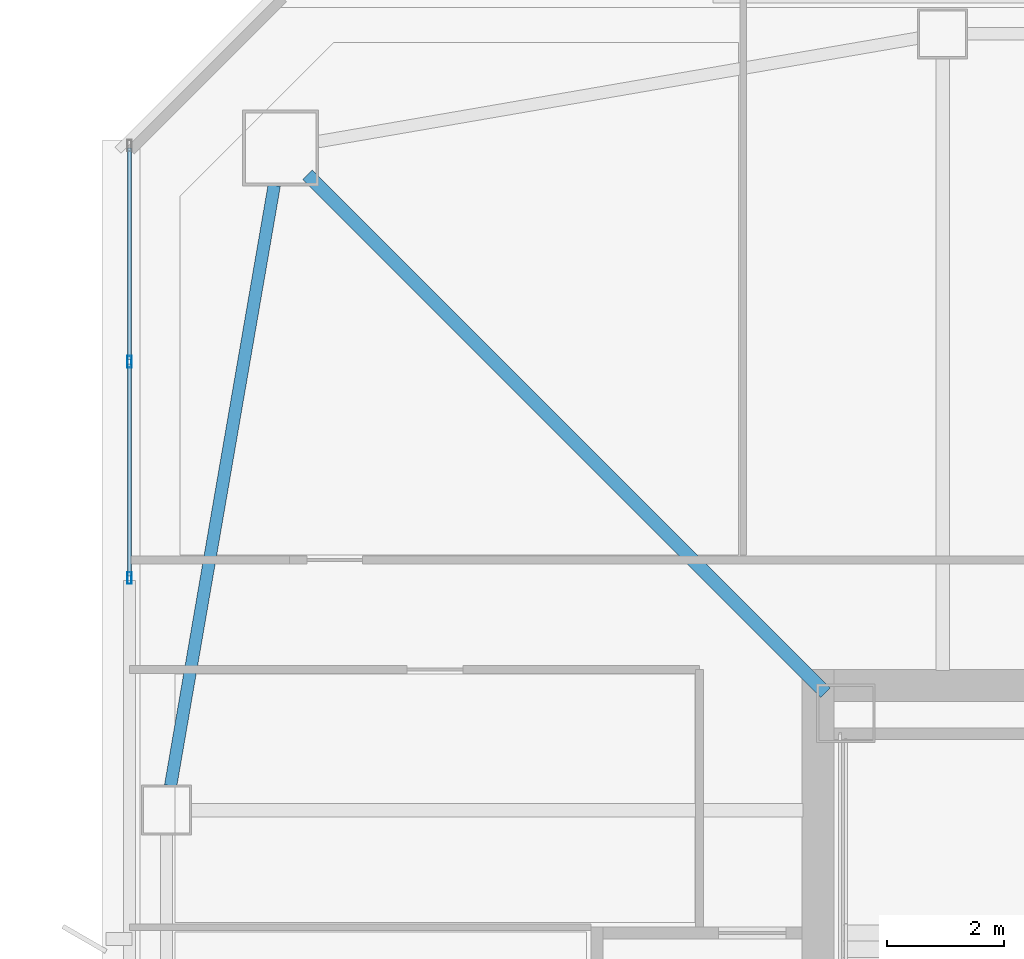
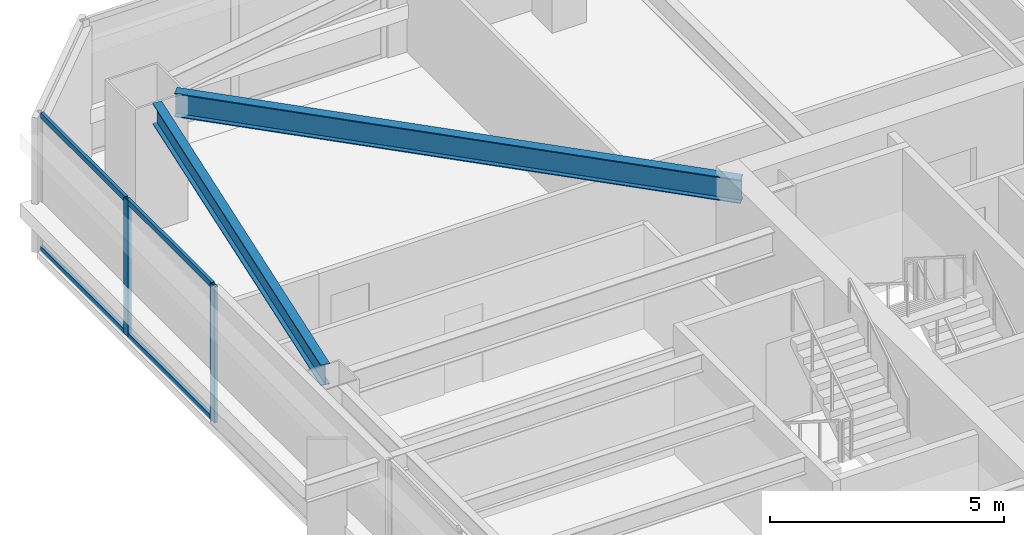
# One storey, part 12 of 48: 6 members, 2 beams, 1 element without a shape of its own.
"""IFC4 building model written with IfcOpenShell, lengths in metres."""

from ifc_helpers import new_model, si_unit, direction, frame, origin, origin_2d, place, context, subcontext, project, spatial, hollow_rectangle, i_section, extrude, material, material_profile, profile_set, type_object, element, aggregate, save


model = new_model("IFC4")

# Units and contexts
model_context = context("Model", 3, precision=1e-05, world=origin(), true_north=direction((0.0, 1.0)))
body_context = subcontext(model_context, "Body", "Model", "MODEL_VIEW")
ifc_project = project(units=[si_unit("LENGTHUNIT", "METRE"), si_unit("AREAUNIT", "SQUARE_METRE"), si_unit("VOLUMEUNIT", "CUBIC_METRE"), si_unit("PLANEANGLEUNIT", "RADIAN"), si_unit("MASSUNIT", "GRAM", prefix="KILO")], contexts=[model_context])

# Site, building, storey
site_placement = place(None, origin())
site = spatial("IfcSite", under=ifc_project, at=site_placement, CompositionType="ELEMENT")
building_placement = place(site_placement, origin())
building = spatial("IfcBuilding", under=site, at=building_placement, Name="Tashvorn Skyway Center", CompositionType="ELEMENT")
storey_placement = place(building_placement, frame((0.0, 0.0, 125.050048828125)))
storey = spatial("IfcBuildingStorey", under=building, at=storey_placement, Name="L33", CompositionType="ELEMENT", Elevation=125.050048828125)

# Beams
ifc_material_1 = material(Name="Steel ASTM A992 Grade 50", Category="steel")
ifc_material_profile_1 = material_profile(ifc_material_1, i_section(OverallWidth=0.22998046875, OverallDepth=0.616943359375, WebThickness=0.01318359375, FlangeThickness=0.022216796875, at=origin_2d()), Name="W24X94")
ifc_profile_set_1 = profile_set([ifc_material_profile_1], Name="Steel ASTM A992 Grade 50")
beam_type_1 = type_object("IfcBeamType", Name="BM-BEAM-W24X94", PredefinedType="BEAM", material=ifc_profile_set_1)
beam_1_placement = place(storey_placement, frame((25.756103515625, 48.243896484375, 3.0615234375), z_axis=(0.707106781187, -0.707106781187, 0.0), x_axis=(0.707106781187, 0.707106781187, 0.0)))
element("IfcBeam", 1, at=beam_1_placement, inside=storey, type_object=beam_type_1, Name="Tower 1 L33 Primary Floor Girder MC-NW", PredefinedType="BEAM", context=body_context, shape_type="SweptSolid", body=[
    extrude(i_section(OverallWidth=0.22998046875, OverallDepth=0.616943359375, WebThickness=0.01318359375, FlangeThickness=0.022216796875, at=origin_2d()), origin(), (0.0, 0.0, 1.0), 12.50732421875),
])
ifc_material_profile_2 = material_profile(ifc_material_1, i_section(OverallWidth=0.2109375, OverallDepth=0.5390625, WebThickness=0.01171875, FlangeThickness=0.018798828125, at=origin_2d()), Name="W21X73")
ifc_profile_set_2 = profile_set([ifc_material_profile_2], Name="Steel ASTM A992 Grade 50")
beam_type_2 = type_object("IfcBeamType", Name="BM-SPANDREL-W21X73", PredefinedType="SPANDREL", material=ifc_profile_set_2)
beam_2_placement = place(storey_placement, frame((25.1904296875, 48.064453125, 3.100341796875), z_axis=(-0.170067250846, -0.985432458462, 0.0), x_axis=(0.985432458462, -0.170067250846, 0.0)))
element("IfcBeam", 2, at=beam_2_placement, inside=storey, type_object=beam_type_2, Name="Tower 1 L33 Spandrel Beam 10", PredefinedType="SPANDREL", context=body_context, shape_type="SweptSolid", body=[
    extrude(i_section(OverallWidth=0.2109375, OverallDepth=0.5390625, WebThickness=0.01171875, FlangeThickness=0.018798828125, at=origin_2d()), origin(), (0.0, 0.0, 1.0), 10.402099609375),
])

# Curtain wall, members
ifc_material_2 = material(Name="Thermally broken bronze-anodized aluminium 6063-T6", Category="aluminium")
curtain_wall_type = type_object("IfcCurtainWallType", Name="CW-CW-Z3", PredefinedType="NOTDEFINED", material=ifc_material_2)
curtain_wall_placement = place(storey_placement, origin())
curtain_wall = element("IfcCurtainWall", 3, at=curtain_wall_placement, inside=storey, type_object=curtain_wall_type, Name="Tower 1 L33 West Unitised Curtain Wall Glazing Group 3", PredefinedType="NOTDEFINED")
ifc_material_profile_3 = material_profile(ifc_material_2, hollow_rectangle(XDim=0.074951171875, YDim=0.199951171875, WallThickness=0.00439453125, at=origin_2d()), Name="ALU-MULL-75x200")
ifc_profile_set_3 = profile_set([ifc_material_profile_3], Name="Thermally broken bronze-anodized aluminium 6063-T6")
member_type_1 = type_object("IfcMemberType", Name="CWM-CW-Z3", PredefinedType="MULLION", material=ifc_profile_set_3)
member_1_placement = place(storey_placement, frame((22.719970703125, 41.359619140625, 0.0), z_axis=(0.0, 0.0, 1.0), x_axis=(-1.0, 0.0, 0.0)))
member_1 = element("IfcMember", 4, at=member_1_placement, type_object=member_type_1, Name="CW-Z3 mullion 1", PredefinedType="MULLION", context=body_context, shape_type="SweptSolid", body=[
    extrude(hollow_rectangle(XDim=0.074951171875, YDim=0.199951171875, WallThickness=0.00439453125, at=origin_2d()), origin(), (0.0, 0.0, 1.0), 3.550048828125),
])
member_2_placement = place(storey_placement, frame((22.719970703125, 45.051025390625, 0.0), z_axis=(0.0, 0.0, 1.0), x_axis=(-1.0, 0.0, 0.0)))
member_2 = element("IfcMember", 5, at=member_2_placement, type_object=member_type_1, Name="CW-Z3 mullion 2", PredefinedType="MULLION", context=body_context, shape_type="SweptSolid", body=[
    extrude(hollow_rectangle(XDim=0.074951171875, YDim=0.199951171875, WallThickness=0.00439453125, at=origin_2d()), origin(), (0.0, 0.0, 1.0), 3.550048828125),
])
ifc_material_profile_4 = material_profile(ifc_material_2, hollow_rectangle(XDim=0.074951171875, YDim=0.139892578125, WallThickness=0.004150390625, at=origin_2d()), Name="ALU-TRAN-75x140")
ifc_profile_set_4 = profile_set([ifc_material_profile_4], Name="Thermally broken bronze-anodized aluminium 6063-T6")
member_type_2 = type_object("IfcMemberType", Name="CWT-CW-Z3", PredefinedType="USERDEFINED", material=ifc_profile_set_4)
member_3_placement = place(storey_placement, frame((22.719970703125, 41.397216796875, 0.037353515625), z_axis=(0.0, 1.0, 0.0), x_axis=(-1.0, 0.0, 0.0)))
member_3 = element("IfcMember", 6, at=member_3_placement, type_object=member_type_2, Name="CW-Z3 transom 1.1", ObjectType="TRANSOM", PredefinedType="USERDEFINED", context=body_context, shape_type="SweptSolid", body=[
    extrude(hollow_rectangle(XDim=0.074951171875, YDim=0.139892578125, WallThickness=0.004150390625, at=origin_2d()), origin(), (0.0, 0.0, 1.0), 3.616455078125),
])
member_4_placement = place(storey_placement, frame((22.719970703125, 41.397216796875, 3.512451171875), z_axis=(0.0, 1.0, 0.0), x_axis=(-1.0, 0.0, 0.0)))
member_4 = element("IfcMember", 7, at=member_4_placement, type_object=member_type_2, Name="CW-Z3 transom 1.2", ObjectType="TRANSOM", PredefinedType="USERDEFINED", context=body_context, shape_type="SweptSolid", body=[
    extrude(hollow_rectangle(XDim=0.074951171875, YDim=0.139892578125, WallThickness=0.004150390625, at=origin_2d()), origin(), (0.0, 0.0, 1.0), 3.616455078125),
])
member_5_placement = place(storey_placement, frame((22.719970703125, 45.088623046875, 0.037353515625), z_axis=(0.0, 1.0, 0.0), x_axis=(-1.0, 0.0, 0.0)))
member_5 = element("IfcMember", 8, at=member_5_placement, type_object=member_type_2, Name="CW-Z3 transom 2.1", ObjectType="TRANSOM", PredefinedType="USERDEFINED", context=body_context, shape_type="SweptSolid", body=[
    extrude(hollow_rectangle(XDim=0.074951171875, YDim=0.139892578125, WallThickness=0.004150390625, at=origin_2d()), origin(), (0.0, 0.0, 1.0), 3.616455078125),
])
member_6_placement = place(storey_placement, frame((22.719970703125, 45.088623046875, 3.512451171875), z_axis=(0.0, 1.0, 0.0), x_axis=(-1.0, 0.0, 0.0)))
member_6 = element("IfcMember", 9, at=member_6_placement, type_object=member_type_2, Name="CW-Z3 transom 2.2", ObjectType="TRANSOM", PredefinedType="USERDEFINED", context=body_context, shape_type="SweptSolid", body=[
    extrude(hollow_rectangle(XDim=0.074951171875, YDim=0.139892578125, WallThickness=0.004150390625, at=origin_2d()), origin(), (0.0, 0.0, 1.0), 3.616455078125),
])
aggregate(curtain_wall, [member_1, member_2, member_3, member_4, member_5, member_6])

save(model, "model.ifc")
